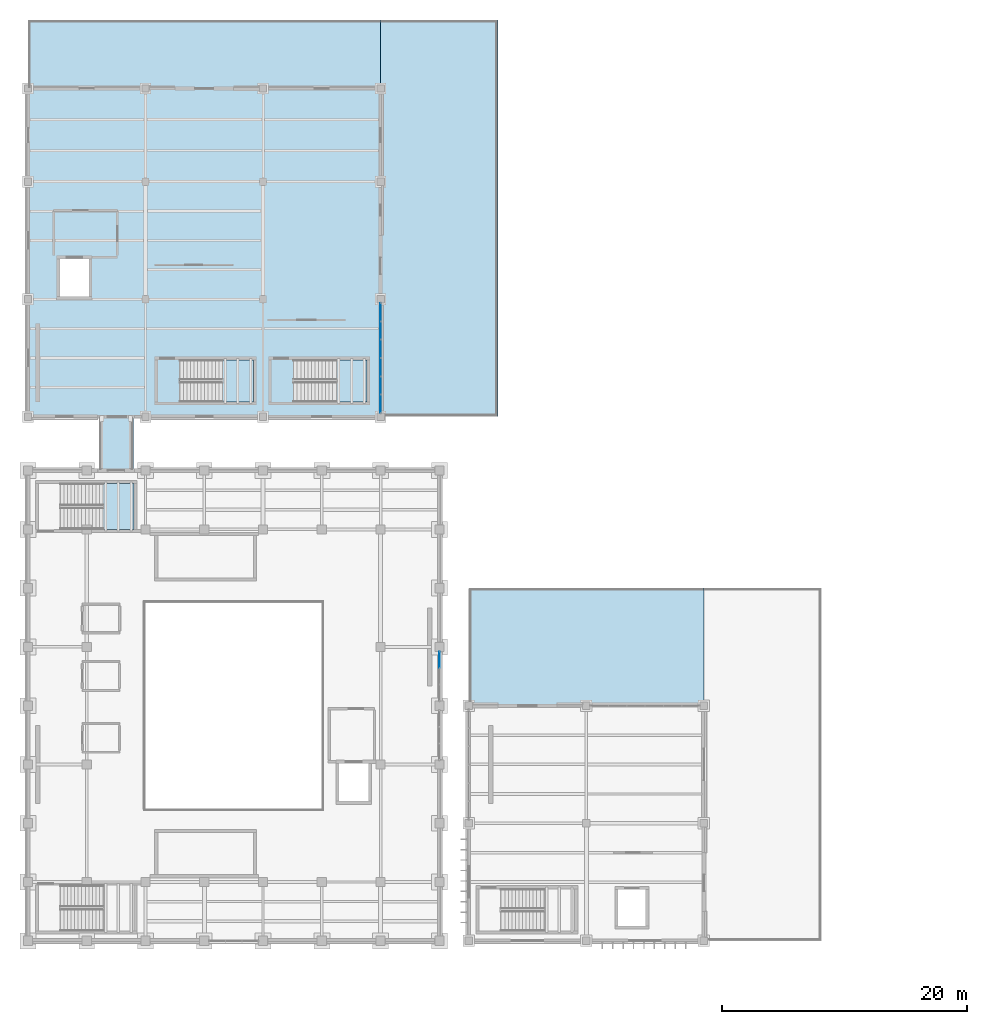
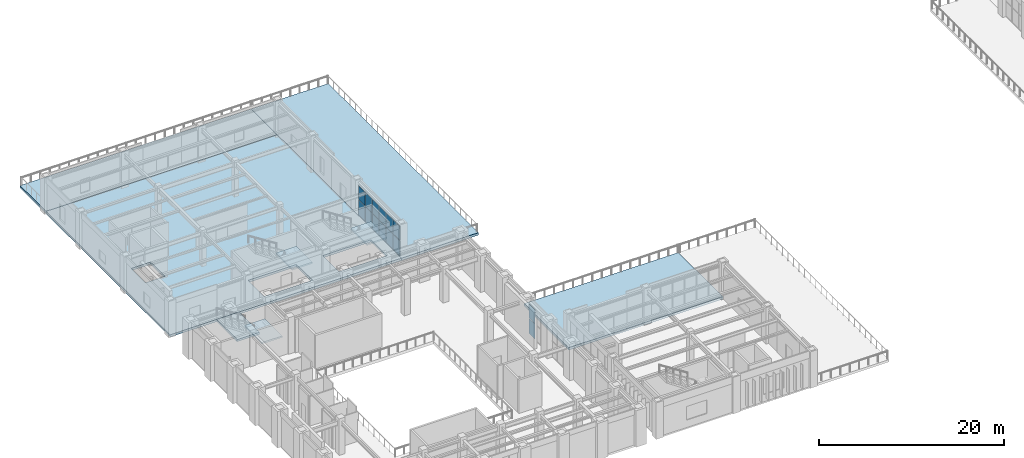
# One storey, part 51 of 83: 14 plates, 8 slabs, 5 elements without a shape of their own.
"""IFC4 building model written with IfcOpenShell, lengths in metres."""

from ifc_helpers import new_model, si_unit, direction, frame, origin, origin_2d, place, context, subcontext, project, spatial, polyline, rectangle, outline, extrude, material, layer, layer_set, type_object, element, aggregate, save


model = new_model("IFC4")

# Units and contexts
model_context = context("Model", 3, precision=1e-05, world=origin(), true_north=direction((0.0, 1.0)))
body_context = subcontext(model_context, "Body", "Model", "MODEL_VIEW")
ifc_project = project(units=[si_unit("LENGTHUNIT", "METRE"), si_unit("AREAUNIT", "SQUARE_METRE"), si_unit("VOLUMEUNIT", "CUBIC_METRE"), si_unit("PLANEANGLEUNIT", "RADIAN"), si_unit("MASSUNIT", "GRAM", prefix="KILO")], contexts=[model_context])

# Site, building, storey
site_placement = place(None, origin())
site = spatial("IfcSite", under=ifc_project, at=site_placement, CompositionType="ELEMENT")
building_placement = place(site_placement, origin())
building = spatial("IfcBuilding", under=site, at=building_placement, Name="Mavantir Sound Aquarium", CompositionType="ELEMENT")
storey_placement = place(building_placement, frame((0.0, 0.0, 10.5)))
storey = spatial("IfcBuildingStorey", under=building, at=storey_placement, Name="L02", CompositionType="ELEMENT", Elevation=10.5)

# Curtain wall, plates
ifc_material_1 = material(Name="Anodised Marine Aluminium and Low-E Glass", Category="aluminium")
curtain_wall_type_1 = type_object("IfcCurtainWallType", Name="CW-T03", PredefinedType="USERDEFINED", material=ifc_material_1)
curtain_wall_1_placement = place(storey_placement, origin())
curtain_wall_1 = element("IfcCurtainWall", 1, at=curtain_wall_1_placement, inside=storey, type_object=curtain_wall_type_1, Name="L02 unitised curtain wall CW-03 123", ObjectType="UNITISED GLAZING", PredefinedType="USERDEFINED")
ifc_material_2 = material(Name="Solar-Control Laminated Low-E Glass", Category="glass")
ifc_layer_1 = layer(ifc_material_2, 0.028076171875, Name="Solar-Control Laminated Low-E Glass")
ifc_layer_set_1 = layer_set([ifc_layer_1], Name="Solar-Control Laminated Low-E Glass")
plate_type_1 = type_object("IfcPlateType", Name="CW-PNL-28", PredefinedType="CURTAIN_PANEL", material=ifc_layer_set_1)
plate_1_placement = place(storey_placement, frame((33.60009765625, 63.74462890625, 0.10302734375), z_axis=(0.0, 0.0, 1.0), x_axis=(0.0, 1.0, 0.0)))
plate_1 = element("IfcPlate", 2, at=plate_1_placement, type_object=plate_type_1, Name="CW-L02-123 glazed curtain panel 3.1", PredefinedType="CURTAIN_PANEL", context=body_context, shape_type="SweptSolid", body=[
    extrude(rectangle(XDim=1.296630859375, YDim=0.028076171875, at=origin_2d()), origin(), (0.0, 0.0, 1.0), 1.959228515625),
])
plate_2_placement = place(storey_placement, frame((33.60009765625, 63.74462890625, 2.158203125), z_axis=(0.0, 0.0, 1.0), x_axis=(0.0, 1.0, 0.0)))
plate_2 = element("IfcPlate", 3, at=plate_2_placement, type_object=plate_type_1, Name="CW-L02-123 glazed curtain panel 3.2", PredefinedType="CURTAIN_PANEL", context=body_context, shape_type="SweptSolid", body=[
    extrude(rectangle(XDim=1.296630859375, YDim=0.028076171875, at=origin_2d()), origin(), (0.0, 0.0, 1.0), 1.796875),
])
aggregate(curtain_wall_1, [plate_1, plate_2])

curtain_wall_type_2 = type_object("IfcCurtainWallType", Name="CW-T20", PredefinedType="USERDEFINED", material=ifc_material_1)
curtain_wall_2_placement = place(storey_placement, origin())
curtain_wall_2 = element("IfcCurtainWall", 4, at=curtain_wall_2_placement, inside=storey, type_object=curtain_wall_type_2, Name="L02 unitised curtain wall CW-20 140", ObjectType="UNITISED GLAZING", PredefinedType="USERDEFINED")
ifc_layer_2 = layer(ifc_material_2, 0.031982421875, Name="Solar-Control Laminated Low-E Glass")
ifc_layer_set_2 = layer_set([ifc_layer_2], Name="Solar-Control Laminated Low-E Glass")
plate_type_2 = type_object("IfcPlateType", Name="CW-PNL-32", PredefinedType="CURTAIN_PANEL", material=ifc_layer_set_2)
plate_3_placement = place(storey_placement, frame((28.800048828125, 84.65673828125, 0.10302734375), z_axis=(0.0, 0.0, 1.0), x_axis=(0.0, 1.0, 0.0)))
plate_3 = element("IfcPlate", 5, at=plate_3_placement, type_object=plate_type_2, Name="CW-L02-140 glazed curtain panel 1.1", PredefinedType="CURTAIN_PANEL", context=body_context, shape_type="SweptSolid", body=[
    extrude(rectangle(XDim=1.44921875, YDim=0.031982421875, at=origin_2d()), origin(), (0.0, 0.0, 1.0), 1.96484375),
])
plate_4_placement = place(storey_placement, frame((28.800048828125, 84.65673828125, 2.1640625), z_axis=(0.0, 0.0, 1.0), x_axis=(0.0, 1.0, 0.0)))
plate_4 = element("IfcPlate", 6, at=plate_4_placement, type_object=plate_type_2, Name="CW-L02-140 glazed curtain panel 1.2", PredefinedType="CURTAIN_PANEL", context=body_context, shape_type="SweptSolid", body=[
    extrude(rectangle(XDim=1.44921875, YDim=0.031982421875, at=origin_2d()), origin(), (0.0, 0.0, 1.0), 1.802001953125),
])
plate_5_placement = place(storey_placement, frame((28.800048828125, 86.154052734375, 0.10302734375), z_axis=(0.0, 0.0, 1.0), x_axis=(0.0, 1.0, 0.0)))
plate_5 = element("IfcPlate", 7, at=plate_5_placement, type_object=plate_type_2, Name="CW-L02-140 glazed curtain panel 2.1", PredefinedType="CURTAIN_PANEL", context=body_context, shape_type="SweptSolid", body=[
    extrude(rectangle(XDim=1.44921875, YDim=0.031982421875, at=origin_2d()), origin(), (0.0, 0.0, 1.0), 1.96484375),
])
plate_6_placement = place(storey_placement, frame((28.800048828125, 86.154052734375, 2.1640625), z_axis=(0.0, 0.0, 1.0), x_axis=(0.0, 1.0, 0.0)))
plate_6 = element("IfcPlate", 8, at=plate_6_placement, type_object=plate_type_2, Name="CW-L02-140 glazed curtain panel 2.2", PredefinedType="CURTAIN_PANEL", context=body_context, shape_type="SweptSolid", body=[
    extrude(rectangle(XDim=1.44921875, YDim=0.031982421875, at=origin_2d()), origin(), (0.0, 0.0, 1.0), 1.802001953125),
])
plate_7_placement = place(storey_placement, frame((28.800048828125, 87.6513671875, 0.10302734375), z_axis=(0.0, 0.0, 1.0), x_axis=(0.0, 1.0, 0.0)))
plate_7 = element("IfcPlate", 9, at=plate_7_placement, type_object=plate_type_2, Name="CW-L02-140 glazed curtain panel 3.1", PredefinedType="CURTAIN_PANEL", context=body_context, shape_type="SweptSolid", body=[
    extrude(rectangle(XDim=1.44921875, YDim=0.031982421875, at=origin_2d()), origin(), (0.0, 0.0, 1.0), 1.96484375),
])
plate_8_placement = place(storey_placement, frame((28.800048828125, 87.6513671875, 2.1640625), z_axis=(0.0, 0.0, 1.0), x_axis=(0.0, 1.0, 0.0)))
plate_8 = element("IfcPlate", 10, at=plate_8_placement, type_object=plate_type_2, Name="CW-L02-140 glazed curtain panel 3.2", PredefinedType="CURTAIN_PANEL", context=body_context, shape_type="SweptSolid", body=[
    extrude(rectangle(XDim=1.44921875, YDim=0.031982421875, at=origin_2d()), origin(), (0.0, 0.0, 1.0), 1.802001953125),
])
plate_9_placement = place(storey_placement, frame((28.800048828125, 89.148681640625, 0.10302734375), z_axis=(0.0, 0.0, 1.0), x_axis=(0.0, 1.0, 0.0)))
plate_9 = element("IfcPlate", 11, at=plate_9_placement, type_object=plate_type_2, Name="CW-L02-140 glazed curtain panel 4.1", PredefinedType="CURTAIN_PANEL", context=body_context, shape_type="SweptSolid", body=[
    extrude(rectangle(XDim=1.44921875, YDim=0.031982421875, at=origin_2d()), origin(), (0.0, 0.0, 1.0), 1.96484375),
])
plate_10_placement = place(storey_placement, frame((28.800048828125, 89.148681640625, 2.1640625), z_axis=(0.0, 0.0, 1.0), x_axis=(0.0, 1.0, 0.0)))
plate_10 = element("IfcPlate", 12, at=plate_10_placement, type_object=plate_type_2, Name="CW-L02-140 glazed curtain panel 4.2", PredefinedType="CURTAIN_PANEL", context=body_context, shape_type="SweptSolid", body=[
    extrude(rectangle(XDim=1.44921875, YDim=0.031982421875, at=origin_2d()), origin(), (0.0, 0.0, 1.0), 1.802001953125),
])
plate_11_placement = place(storey_placement, frame((28.800048828125, 90.64599609375, 0.10302734375), z_axis=(0.0, 0.0, 1.0), x_axis=(0.0, 1.0, 0.0)))
plate_11 = element("IfcPlate", 13, at=plate_11_placement, type_object=plate_type_2, Name="CW-L02-140 glazed curtain panel 5.1", PredefinedType="CURTAIN_PANEL", context=body_context, shape_type="SweptSolid", body=[
    extrude(rectangle(XDim=1.44921875, YDim=0.031982421875, at=origin_2d()), origin(), (0.0, 0.0, 1.0), 1.96484375),
])
plate_12_placement = place(storey_placement, frame((28.800048828125, 90.64599609375, 2.1640625), z_axis=(0.0, 0.0, 1.0), x_axis=(0.0, 1.0, 0.0)))
plate_12 = element("IfcPlate", 14, at=plate_12_placement, type_object=plate_type_2, Name="CW-L02-140 glazed curtain panel 5.2", PredefinedType="CURTAIN_PANEL", context=body_context, shape_type="SweptSolid", body=[
    extrude(rectangle(XDim=1.44921875, YDim=0.031982421875, at=origin_2d()), origin(), (0.0, 0.0, 1.0), 1.802001953125),
])
plate_13_placement = place(storey_placement, frame((28.800048828125, 92.143310546875, 0.10302734375), z_axis=(0.0, 0.0, 1.0), x_axis=(0.0, 1.0, 0.0)))
plate_13 = element("IfcPlate", 15, at=plate_13_placement, type_object=plate_type_2, Name="CW-L02-140 glazed curtain panel 6.1", PredefinedType="CURTAIN_PANEL", context=body_context, shape_type="SweptSolid", body=[
    extrude(rectangle(XDim=1.44921875, YDim=0.031982421875, at=origin_2d()), origin(), (0.0, 0.0, 1.0), 1.96484375),
])
plate_14_placement = place(storey_placement, frame((28.800048828125, 92.143310546875, 2.1640625), z_axis=(0.0, 0.0, 1.0), x_axis=(0.0, 1.0, 0.0)))
plate_14 = element("IfcPlate", 16, at=plate_14_placement, type_object=plate_type_2, Name="CW-L02-140 glazed curtain panel 6.2", PredefinedType="CURTAIN_PANEL", context=body_context, shape_type="SweptSolid", body=[
    extrude(rectangle(XDim=1.44921875, YDim=0.031982421875, at=origin_2d()), origin(), (0.0, 0.0, 1.0), 1.802001953125),
])
aggregate(curtain_wall_2, [plate_3, plate_4, plate_5, plate_6, plate_7, plate_8, plate_9, plate_10, plate_11, plate_12, plate_13, plate_14])

# Slabs
ifc_material_3 = material(Name="Concrete C40/50", Category="concrete")
ifc_layer_3 = layer(ifc_material_3, 0.280029296875, Name="Concrete C40/50")
ifc_layer_set_3 = layer_set([ifc_layer_3], Name="Concrete C40/50")
slab_type_1 = type_object("IfcSlabType", Name="SLB-BRS-01", PredefinedType="FLOOR", material=ifc_layer_set_3)
slab_1_placement = place(storey_placement, frame((0.0, 0.0, -0.280029296875)))
element("IfcSlab", 17, at=slab_1_placement, inside=storey, type_object=slab_type_1, Name="L02 outdoor bridge slab BRS-01", PredefinedType="FLOOR", context=body_context, shape_type="SweptSolid", body=[
    extrude(outline(polyline([(5.800048828125, 79.199951171875), (8.60009765625, 79.199951171875), (8.60009765625, 83.60009765625), (5.800048828125, 83.60009765625), (5.800048828125, 79.199951171875)])), origin(), (0.0, 0.0, 1.0), 0.280029296875),
])
ifc_layer_4 = layer(ifc_material_3, 0.300048828125, Name="Concrete C40/50")
ifc_layer_set_4 = layer_set([ifc_layer_4], Name="Concrete C40/50")
slab_type_2 = type_object("IfcSlabType", Name="SLB-FS-03", PredefinedType="FLOOR", material=ifc_layer_set_4)
slab_2_placement = place(storey_placement, frame((0.0, 0.0, -0.300048828125)))
element("IfcSlab", 18, at=slab_2_placement, inside=storey, type_object=slab_type_2, Name="L02 structural slab FS-03 (V5)", PredefinedType="FLOOR", context=body_context, shape_type="SweptSolid", body=[
    extrude(outline(polyline([(28.800048828125, 83.60009765625), (28.800048828125, 110.39990234375), (0.0, 110.39990234375), (0.0, 83.60009765625), (28.800048828125, 83.60009765625)]), holes=[polyline([(12.39990234375, 84.800048828125), (18.39990234375, 84.800048828125), (18.39990234375, 88.25), (12.39990234375, 88.25), (12.39990234375, 84.800048828125)]), polyline([(21.699951171875, 84.800048828125), (27.699951171875, 84.800048828125), (27.699951171875, 88.25), (21.699951171875, 88.25), (21.699951171875, 84.800048828125)]), polyline([(2.60009765625, 93.39990234375), (5.0, 93.39990234375), (5.0, 96.5), (2.60009765625, 96.5), (2.60009765625, 93.39990234375)])]), origin(), (0.0, 0.0, 1.0), 0.300048828125),
])

# Stair, slab
stair_type_1 = type_object("IfcStairType", Name="STR-1800-4800", PredefinedType="HALF_TURN_STAIR", material=ifc_material_3)
stair_1_placement = place(storey_placement, origin())
stair_1 = element("IfcStair", 19, at=stair_1_placement, inside=storey, type_object=stair_type_1, Name="L02 Protected exit stair ST2", PredefinedType="HALF_TURN_STAIR")
ifc_layer_5 = layer(ifc_material_3, 0.199951171875, Name="Concrete C40/50")
ifc_layer_set_5 = layer_set([ifc_layer_5], Name="Concrete C40/50")
slab_type_3 = type_object("IfcSlabType", Name="SLB-LND-360", PredefinedType="LANDING", material=ifc_layer_set_5)
slab_3_placement = place(storey_placement, frame((0.0, 0.0, 2.199951171875)))
slab_3 = element("IfcSlab", 20, at=slab_3_placement, type_object=slab_type_3, Name="ST2 landing 1", PredefinedType="LANDING", context=body_context, shape_type="SweptSolid", body=[
    extrude(outline(polyline([(6.1298828125, 74.39990234375), (8.64990234375, 74.39990234375), (8.64990234375, 78.14990234375), (6.1298828125, 78.14990234375), (6.1298828125, 74.39990234375)])), origin(), (0.0, 0.0, 1.0), 0.199951171875),
])
aggregate(stair_1, [slab_3])

stair_type_2 = type_object("IfcStairType", Name="STR-1650-4800", PredefinedType="HALF_TURN_STAIR", material=ifc_material_3)
stair_2_placement = place(storey_placement, origin())
stair_2 = element("IfcStair", 21, at=stair_2_placement, inside=storey, type_object=stair_type_2, Name="L02 Protected exit stair ST5", PredefinedType="HALF_TURN_STAIR")
slab_4_placement = place(storey_placement, frame((0.0, 0.0, 2.199951171875)))
slab_4 = element("IfcSlab", 22, at=slab_4_placement, type_object=slab_type_3, Name="ST5 landing 1", PredefinedType="LANDING", context=body_context, shape_type="SweptSolid", body=[
    extrude(outline(polyline([(15.8798828125, 84.800048828125), (18.39990234375, 84.800048828125), (18.39990234375, 88.25), (15.8798828125, 88.25), (15.8798828125, 84.800048828125)])), origin(), (0.0, 0.0, 1.0), 0.199951171875),
])
aggregate(stair_2, [slab_4])

stair_3_placement = place(storey_placement, origin())
stair_3 = element("IfcStair", 23, at=stair_3_placement, inside=storey, type_object=stair_type_2, Name="L02 Protected exit stair ST7", PredefinedType="HALF_TURN_STAIR")
slab_5_placement = place(storey_placement, frame((0.0, 0.0, 2.199951171875)))
slab_5 = element("IfcSlab", 24, at=slab_5_placement, type_object=slab_type_3, Name="ST7 landing 1", PredefinedType="LANDING", context=body_context, shape_type="SweptSolid", body=[
    extrude(outline(polyline([(25.179931640625, 84.800048828125), (27.699951171875, 84.800048828125), (27.699951171875, 88.25), (25.179931640625, 88.25), (25.179931640625, 84.800048828125)])), origin(), (0.0, 0.0, 1.0), 0.199951171875),
])
aggregate(stair_3, [slab_5])

# Slabs
ifc_layer_6 = layer(ifc_material_3, 0.320068359375, Name="Concrete C40/50")
ifc_layer_set_6 = layer_set([ifc_layer_6], Name="Concrete C40/50")
slab_type_4 = type_object("IfcSlabType", Name="SLB-TRS-01", PredefinedType="FLOOR", material=ifc_layer_set_6)
slab_6_placement = place(storey_placement, frame((0.0, 0.0, -0.320068359375)))
element("IfcSlab", 25, at=slab_6_placement, inside=storey, type_object=slab_type_4, Name="L02 outdoor terrace slab TRS-01", PredefinedType="FLOOR", context=body_context, shape_type="SweptSolid", body=[
    extrude(outline(polyline([(36.0, 60.0), (55.199951171875, 60.0), (55.199951171875, 69.60009765625), (36.0, 69.60009765625), (36.0, 60.0)])), origin(), (0.0, 0.0, 1.0), 0.320068359375),
])
slab_7_placement = place(storey_placement, frame((0.0, 0.0, -0.320068359375)))
element("IfcSlab", 26, at=slab_7_placement, inside=storey, type_object=slab_type_4, Name="L02 outdoor terrace slab TRS-01", PredefinedType="FLOOR", context=body_context, shape_type="SweptSolid", body=[
    extrude(outline(polyline([(28.800048828125, 83.60009765625), (38.39990234375, 83.60009765625), (38.39990234375, 116.0), (28.800048828125, 116.0), (28.800048828125, 83.60009765625)])), origin(), (0.0, 0.0, 1.0), 0.320068359375),
])
slab_8_placement = place(storey_placement, frame((0.0, 0.0, -0.320068359375)))
element("IfcSlab", 27, at=slab_8_placement, inside=storey, type_object=slab_type_4, Name="L02 outdoor terrace slab TRS-01", PredefinedType="FLOOR", context=body_context, shape_type="SweptSolid", body=[
    extrude(outline(polyline([(0.0, 110.39990234375), (28.800048828125, 110.39990234375), (28.800048828125, 116.0), (0.0, 116.0), (0.0, 110.39990234375)])), origin(), (0.0, 0.0, 1.0), 0.320068359375),
])

save(model, "model.ifc")
